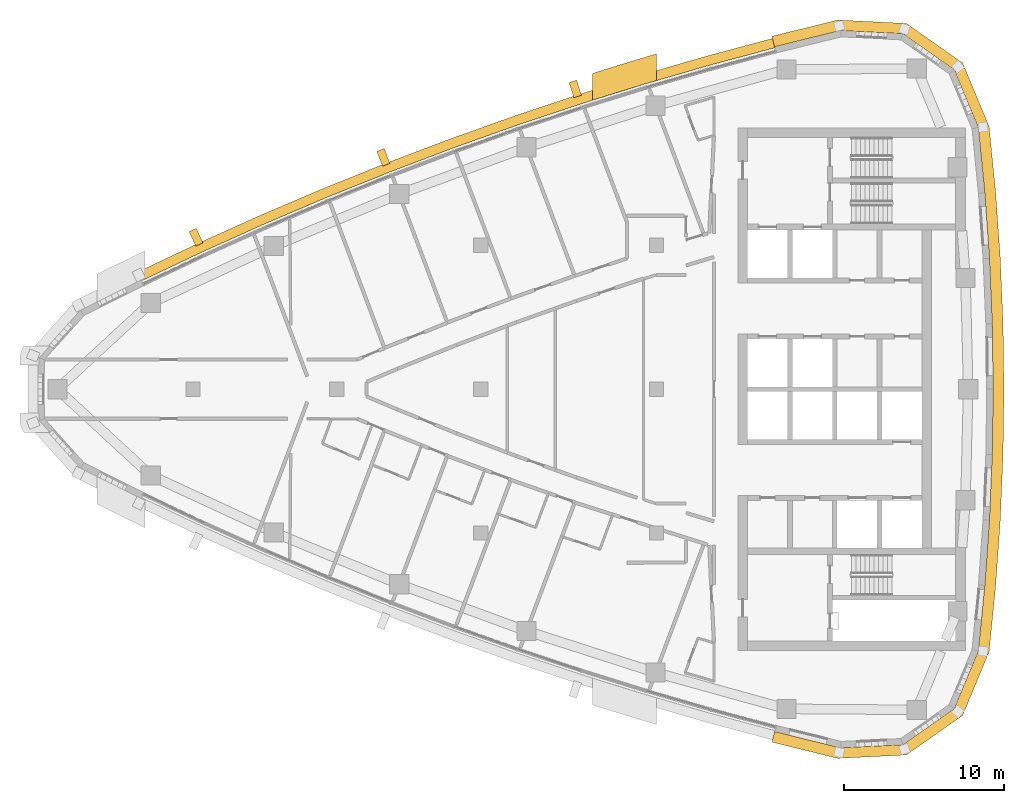
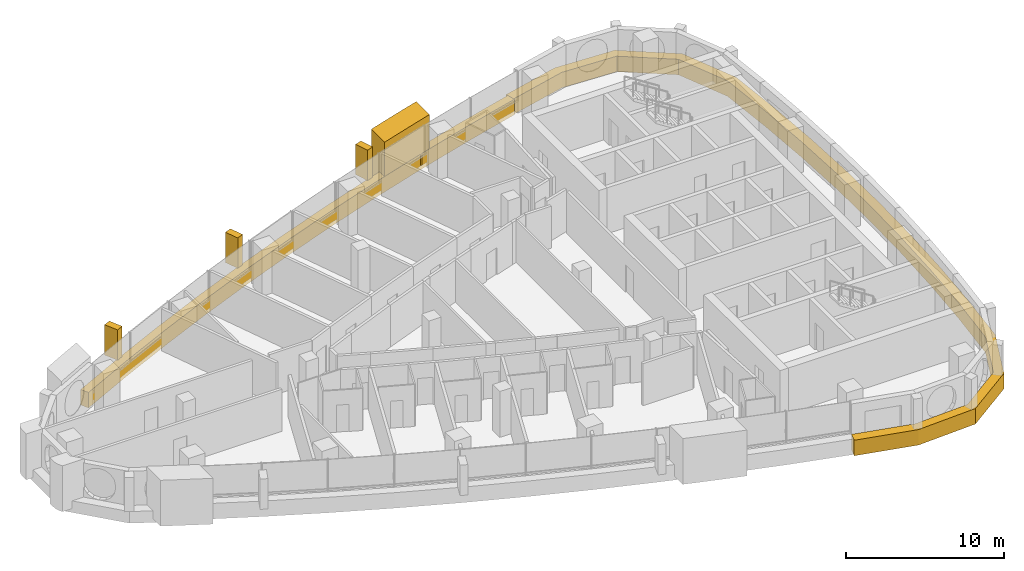
# One storey, part 15 of 16: 6 coverings.
"""IFC4 building model written with IfcOpenShell, lengths in metres."""

from ifc_helpers import new_model, si_unit, direction, frame, frame_2d, origin, place, context, subcontext, project, spatial, polyline, rectangle, outline, extrude, material, layer, layer_set, type_object, element, save


model = new_model("IFC4")

# Units and contexts
model_context = context("Model", 3, precision=1e-05, world=origin(), true_north=direction((0.0, 1.0)))
body_context = subcontext(model_context, "Body", "Model", "MODEL_VIEW")
ifc_project = project(units=[si_unit("LENGTHUNIT", "METRE"), si_unit("AREAUNIT", "SQUARE_METRE"), si_unit("VOLUMEUNIT", "CUBIC_METRE"), si_unit("PLANEANGLEUNIT", "RADIAN"), si_unit("MASSUNIT", "GRAM", prefix="KILO")], contexts=[model_context])

# Site, building, storey
site_placement = place(None, origin())
site = spatial("IfcSite", under=ifc_project, at=site_placement, CompositionType="ELEMENT")
building_placement = place(site_placement, origin())
building = spatial("IfcBuilding", under=site, at=building_placement, Name="Ostrand Prow Hotel Tower", CompositionType="ELEMENT")
storey_placement = place(building_placement, frame((0.0, 0.0, 245.64990234375)))
storey = spatial("IfcBuildingStorey", under=building, at=storey_placement, Name="L62", CompositionType="ELEMENT", Elevation=245.64990234375)

# Coverings
ifc_material_1 = material(Name="Bronze anodised aluminium cladding", Category="aluminium")
ifc_layer_1 = layer(ifc_material_1, 0.60009765625)
ifc_layer_set_1 = layer_set([ifc_layer_1], Name="Bronze anodised aluminium cladding")
covering_type_1 = type_object("IfcCoveringType", Name="Bronze spandrel band 1200x600", PredefinedType="CLADDING", material=ifc_layer_set_1)
covering_1_placement = place(storey_placement, frame((0.0, 0.0, -0.2998046875)))
element("IfcCovering", 1, at=covering_1_placement, inside=storey, type_object=covering_type_1, Name="Spandrel band N1", PredefinedType="CLADDING", context=body_context, shape_type="SweptSolid", body=[
    extrude(outline(polyline([(52.256591796875, 21.944580078125), (48.16064453125, 20.846435546875), (44.087890625, 19.665771484375), (40.039306640625, 18.403564453125), (36.017333984375, 17.059814453125), (32.02294921875, 15.635498046875), (28.058349609375, 14.131103515625), (24.12451171875, 12.547119140625), (20.2236328125, 10.88427734375), (16.35693359375, 9.14306640625), (12.526123046875, 7.324462890625), (12.788818359375, 6.784912109375), (16.60888671875, 8.598388671875), (20.464599609375, 10.334716796875), (24.354248046875, 11.992919921875), (28.27685546875, 13.572265625), (32.230224609375, 15.072509765625), (36.213134765625, 16.49267578125), (40.223876953125, 17.83251953125), (44.260498046875, 19.09130859375), (48.322021484375, 20.268310546875), (52.40625, 21.363525390625), (52.256591796875, 21.944580078125)])), origin(), (0.0, 0.0, 1.0), 1.199951171875),
])
covering_2_placement = place(storey_placement, frame((0.0, 0.0, -0.2998046875)))
element("IfcCovering", 2, at=covering_2_placement, inside=storey, type_object=covering_type_1, Name="Spandrel band back 1", PredefinedType="CLADDING", context=body_context, shape_type="SweptSolid", body=[
    extrude(outline(polyline([(52.22119140625, -22.081787109375), (56.34130859375, -23.09814453125), (60.638671875, -22.8837890625), (64.15771484375, -20.408447265625), (65.81201171875, -16.4365234375), (66.218505859375, -12.3388671875), (66.509033203125, -8.2314453125), (66.68359375, -4.117431640625), (66.74169921875, 0.0), (66.68359375, 4.117431640625), (66.509033203125, 8.2314453125), (66.218505859375, 12.3388671875), (65.81201171875, 16.4365234375), (64.15771484375, 20.408447265625), (60.638671875, 22.8837890625), (56.34130859375, 23.09814453125), (52.22119140625, 22.081787109375), (52.390869140625, 21.42333984375), (56.49755859375, 22.436279296875), (60.417236328125, 22.240966796875), (63.62744140625, 19.98291015625), (65.13623046875, 16.35986328125), (65.541015625, 12.281494140625), (65.830078125, 8.193115234375), (66.00390625, 4.09814453125), (66.061767578125, 0.0), (66.00390625, -4.09814453125), (65.830078125, -8.193115234375), (65.541015625, -12.281494140625), (65.13623046875, -16.35986328125), (63.62744140625, -19.98291015625), (60.417236328125, -22.240966796875), (56.49755859375, -22.436279296875), (52.390869140625, -21.42333984375), (52.22119140625, -22.081787109375)])), origin(), (0.0, 0.0, 1.0), 1.199951171875),
])
ifc_material_2 = material(Name="Limestone cladding", Category="masonry")
ifc_layer_2 = layer(ifc_material_2, 5.0)
ifc_layer_set_2 = layer_set([ifc_layer_2], Name="Limestone cladding")
covering_type_2 = type_object("IfcCoveringType", Name="Portal jamb pilaster limestone", PredefinedType="CLADDING", material=ifc_layer_set_2)
covering_3_placement = place(storey_placement, origin())
element("IfcCovering", 3, at=covering_3_placement, inside=storey, type_object=covering_type_2, Name="Portal jamb NB L62", PredefinedType="CLADDING", context=body_context, shape_type="SweptSolid", body=[
    extrude(outline(polyline([(41.0, 18.08154296875), (42.0, 18.3974609375), (43.0, 18.707763671875), (44.0, 19.0126953125), (45.0, 19.312255859375), (45.0, 20.980712890625), (44.0, 20.68359375), (43.0, 20.381103515625), (42.0, 20.0732421875), (41.0, 19.760009765625), (41.0, 18.08154296875)])), origin(), (0.0, 0.0, 1.0), 3.550048828125),
])
ifc_material_3 = material(Name="Limestone cladding", Category="masonry")
ifc_layer_3 = layer(ifc_material_3, 0.5)
ifc_layer_set_3 = layer_set([ifc_layer_3], Name="Limestone cladding")
covering_type_3 = type_object("IfcCoveringType", Name="Precast stone fin 500x900", PredefinedType="CLADDING", material=ifc_layer_set_3)
covering_4_placement = place(storey_placement, frame((40.070068359375, 18.308349609375, 0.900146484375), z_axis=(0.0, 0.0, 1.0), x_axis=(-0.307352263966, 0.951595810118, 0.0)))
element("IfcCovering", 4, at=covering_4_placement, inside=storey, type_object=covering_type_3, Name="Stone fin N 4", PredefinedType="CLADDING", context=body_context, shape_type="SweptSolid", body=[
    extrude(rectangle(XDim=1.0, YDim=0.5, at=frame_2d((0.5, 0.0))), origin(), (0.0, 0.0, 1.0), 2.349853515625),
])
covering_5_placement = place(storey_placement, frame((28.0947265625, 14.0380859375, 0.900146484375), z_axis=(0.0, 0.0, 1.0), x_axis=(-0.364307281276, 0.931278800795, 0.0)))
element("IfcCovering", 5, at=covering_5_placement, inside=storey, type_object=covering_type_3, Name="Stone fin N 7", PredefinedType="CLADDING", context=body_context, shape_type="SweptSolid", body=[
    extrude(rectangle(XDim=0.999755859375, YDim=0.5, at=frame_2d((0.5, 0.0))), origin(), (0.0, 0.0, 1.0), 2.349853515625),
])
covering_6_placement = place(storey_placement, frame((16.39892578125, 9.05224609375, 0.900146484375), z_axis=(0.0, 0.0, 1.0), x_axis=(-0.419661863421, 0.907680516696, 0.0)))
element("IfcCovering", 6, at=covering_6_placement, inside=storey, type_object=covering_type_3, Name="Stone fin N 10", PredefinedType="CLADDING", context=body_context, shape_type="SweptSolid", body=[
    extrude(rectangle(XDim=1.0, YDim=0.5, at=frame_2d((0.5, 0.0))), origin(), (0.0, 0.0, 1.0), 2.349853515625),
])

save(model, "model.ifc")
